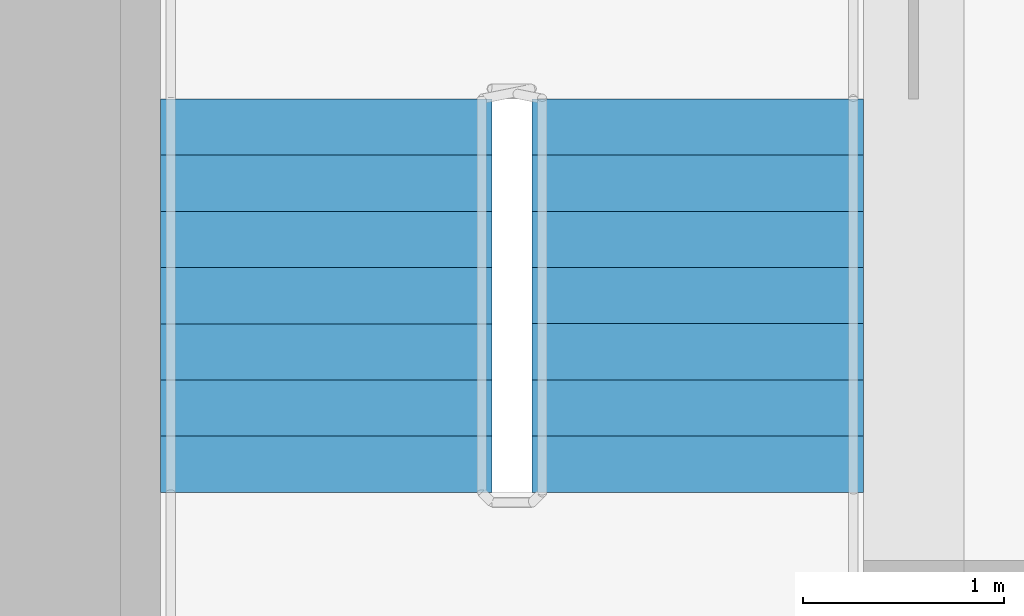
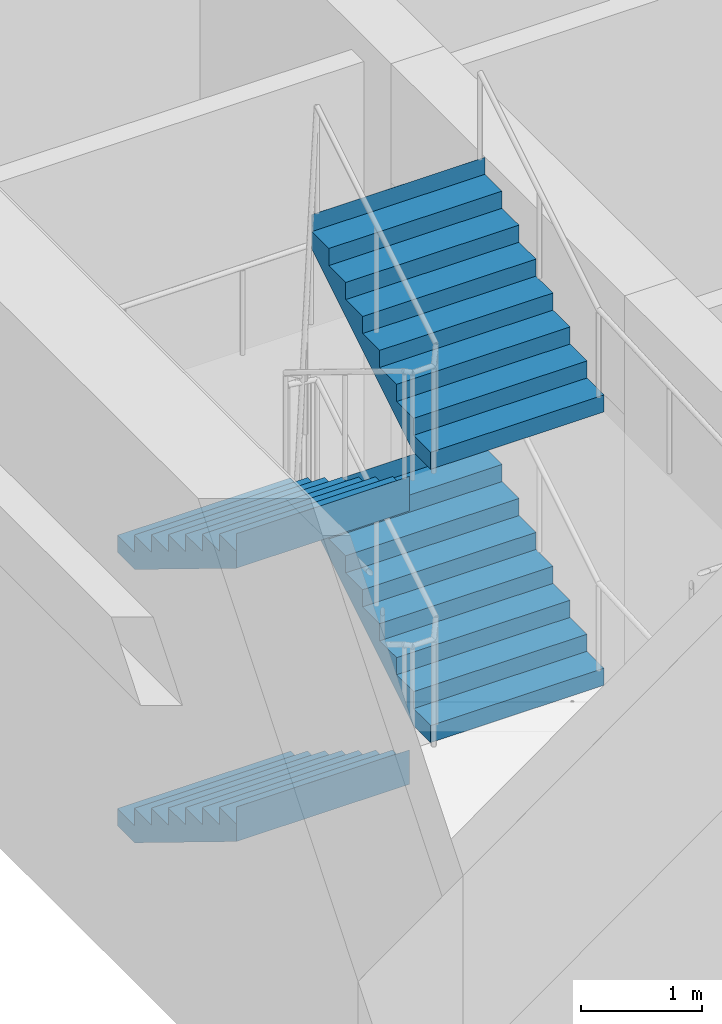
# One storey, part 5 of 9: 4 stair flights, 1 element without a shape of its own.
"""IFC4 building model written with IfcOpenShell, lengths in metres."""

from ifc_helpers import new_model, si_unit, direction, frame, origin, place, context, subcontext, project, spatial, polyline, outline, extrude, material, type_object, element, aggregate, save


model = new_model("IFC4")

# Units and contexts
model_context = context("Model", 3, precision=1e-05, world=origin(), true_north=direction((0.0, 1.0)))
body_context = subcontext(model_context, "Body", "Model", "MODEL_VIEW")
ifc_project = project(units=[si_unit("LENGTHUNIT", "METRE"), si_unit("AREAUNIT", "SQUARE_METRE"), si_unit("VOLUMEUNIT", "CUBIC_METRE"), si_unit("PLANEANGLEUNIT", "RADIAN"), si_unit("MASSUNIT", "GRAM", prefix="KILO")], contexts=[model_context])

# Site, building, storey
site_placement = place(None, origin())
site = spatial("IfcSite", under=ifc_project, at=site_placement, CompositionType="ELEMENT")
building_placement = place(site_placement, origin())
building = spatial("IfcBuilding", under=site, at=building_placement, Name="Tamorin Gate", CompositionType="ELEMENT")
storey_placement = place(building_placement, frame((0.0, 0.0, 214.199951171875)))
storey = spatial("IfcBuildingStorey", under=building, at=storey_placement, Name="L53", CompositionType="ELEMENT", Elevation=214.199951171875)

# Stair, stair flights
ifc_material = material(Name="Concrete C40/50", Category="concrete")
stair_type = type_object("IfcStairType", Name="Exit stair", PredefinedType="HALF_TURN_STAIR", material=ifc_material)
stair_placement = place(storey_placement, origin())
stair = element("IfcStair", 1, at=stair_placement, inside=storey, type_object=stair_type, Name="L53 stair ST1", PredefinedType="HALF_TURN_STAIR")
stair_flight_type = type_object("IfcStairFlightType", Name="Exit stair flight", PredefinedType="STRAIGHT", material=ifc_material)
stair_flight_1_placement = place(storey_placement, frame((31.824951171875, 66.5, 0.0), z_axis=(0.0, 0.0, 1.0), x_axis=(0.0, -1.0, 0.0)))
stair_flight_1 = element("IfcStairFlight", 2, at=stair_flight_1_placement, type_object=stair_flight_type, Name="ST1 flight 1", NumberOfRisers=8, NumberOfTreads=7, PredefinedType="STRAIGHT", RiserHeight=0.171875, TreadLength=0.28, context=body_context, shape_type="SweptSolid", body=[
    extrude(outline(polyline([(-0.00048828125, 0.0), (-0.00048828125, 0.001708984375), (-0.00048828125, 0.00341796875), (-0.00048828125, 0.005126953125), (-0.00048828125, 0.0068359375), (-0.00048828125, 0.008544921875), (-0.00048828125, 0.01025390625), (-0.00048828125, 0.011962890625), (-0.00048828125, 0.013671875), (-0.00048828125, 0.015380859375), (-0.00048828125, 0.01708984375), (-0.00048828125, 0.018798828125), (-0.00048828125, 0.0205078125), (-0.00048828125, 0.022216796875), (-0.00048828125, 0.02392578125), (-0.00048828125, 0.025634765625), (-0.00048828125, 0.02734375), (-0.00048828125, 0.02880859375), (-0.00048828125, 0.030517578125), (-0.00048828125, 0.0322265625), (-0.00048828125, 0.033935546875), (-0.00048828125, 0.03564453125), (-0.00048828125, 0.037353515625), (-0.00048828125, 0.0390625), (-0.00048828125, 0.040771484375), (-0.00048828125, 0.04248046875), (-0.00048828125, 0.044189453125), (-0.00048828125, 0.0458984375), (-0.00048828125, 0.047607421875), (-0.00048828125, 0.04931640625), (-0.00048828125, 0.051025390625), (-0.00048828125, 0.052734375), (-0.00048828125, 0.054443359375), (-0.00048828125, 0.05615234375), (-0.00048828125, 0.057861328125), (-0.00048828125, 0.0595703125), (-0.00048828125, 0.061279296875), (-0.00048828125, 0.06298828125), (-0.00048828125, 0.064697265625), (-0.00048828125, 0.06640625), (-0.00048828125, 0.068115234375), (-0.00048828125, 0.06982421875), (-0.00048828125, 0.071533203125), (-0.00048828125, 0.0732421875), (-0.00048828125, 0.074951171875), (-0.00048828125, 0.07666015625), (-0.00048828125, 0.078369140625), (-0.00048828125, 0.080078125), (-0.00048828125, 0.081787109375), (-0.00048828125, 0.08349609375), (-0.00048828125, 0.085205078125), (-0.00048828125, 0.086669921875), (-0.00048828125, 0.08837890625), (-0.00048828125, 0.090087890625), (-0.00048828125, 0.091796875), (-0.00048828125, 0.093505859375), (-0.00048828125, 0.09521484375), (-0.00048828125, 0.096923828125), (-0.00048828125, 0.0986328125), (-0.00048828125, 0.100341796875), (-0.00048828125, 0.10205078125), (-0.00048828125, 0.103759765625), (-0.00048828125, 0.10546875), (-0.00048828125, 0.107177734375), (-0.00048828125, 0.10888671875), (-0.00048828125, 0.110595703125), (-0.00048828125, 0.1123046875), (-0.00048828125, 0.114013671875), (-0.00048828125, 0.11572265625), (-0.00048828125, 0.117431640625), (-0.00048828125, 0.119140625), (-0.00048828125, 0.120849609375), (-0.00048828125, 0.12255859375), (-0.00048828125, 0.124267578125), (-0.00048828125, 0.1259765625), (-0.00048828125, 0.127685546875), (-0.00048828125, 0.12939453125), (-0.00048828125, 0.131103515625), (-0.00048828125, 0.1328125), (-0.00048828125, 0.134521484375), (-0.00048828125, 0.13623046875), (-0.00048828125, 0.137939453125), (-0.00048828125, 0.1396484375), (-0.00048828125, 0.141357421875), (-0.00048828125, 0.14306640625), (-0.00048828125, 0.14453125), (-0.00048828125, 0.146240234375), (-0.00048828125, 0.14794921875), (-0.00048828125, 0.149658203125), (-0.00048828125, 0.1513671875), (-0.00048828125, 0.153076171875), (-0.00048828125, 0.15478515625), (-0.00048828125, 0.156494140625), (-0.00048828125, 0.158203125), (-0.00048828125, 0.159912109375), (-0.00048828125, 0.16162109375), (-0.00048828125, 0.163330078125), (-0.00048828125, 0.1650390625), (-0.00048828125, 0.166748046875), (-0.00048828125, 0.16845703125), (-0.00048828125, 0.170166015625), (-0.00048828125, 0.171875), (0.280029296875, 0.171875), (0.280029296875, 0.34375), (0.56005859375, 0.34375), (0.56005859375, 0.515625), (0.840087890625, 0.515625), (0.840087890625, 0.6875), (1.1201171875, 0.6875), (1.1201171875, 0.859375), (1.39990234375, 0.859375), (1.39990234375, 1.03125), (1.679931640625, 1.03125), (1.679931640625, 1.203125), (1.9599609375, 1.203125), (1.9599609375, 1.375), (1.96044921875, 1.375), (1.96044921875, 1.37158203125), (1.96044921875, 1.3681640625), (1.96044921875, 1.36474609375), (1.96044921875, 1.361328125), (1.96044921875, 1.357666015625), (1.96044921875, 1.354248046875), (1.96044921875, 1.350830078125), (1.96044921875, 1.347412109375), (1.96044921875, 1.343994140625), (1.96044921875, 1.340576171875), (1.96044921875, 1.337158203125), (1.96044921875, 1.333740234375), (1.96044921875, 1.330322265625), (1.96044921875, 1.326904296875), (1.96044921875, 1.3232421875), (1.96044921875, 1.31982421875), (1.96044921875, 1.31640625), (1.96044921875, 1.31298828125), (1.96044921875, 1.3095703125), (1.96044921875, 1.30615234375), (1.96044921875, 1.302734375), (1.96044921875, 1.29931640625), (1.96044921875, 1.2958984375), (1.96044921875, 1.29248046875), (1.96044921875, 1.288818359375), (1.96044921875, 1.285400390625), (1.96044921875, 1.281982421875), (1.96044921875, 1.278564453125), (1.96044921875, 1.275146484375), (1.96044921875, 1.271728515625), (1.96044921875, 1.268310546875), (1.96044921875, 1.264892578125), (1.96044921875, 1.261474609375), (1.96044921875, 1.2578125), (1.96044921875, 1.25439453125), (1.96044921875, 1.2509765625), (1.96044921875, 1.24755859375), (1.96044921875, 1.244140625), (1.96044921875, 1.24072265625), (1.96044921875, 1.2373046875), (1.96044921875, 1.23388671875), (1.96044921875, 1.23046875), (1.96044921875, 1.22705078125), (1.96044921875, 1.223388671875), (1.96044921875, 1.219970703125), (1.96044921875, 1.216552734375), (1.96044921875, 1.213134765625), (1.96044921875, 1.209716796875), (1.96044921875, 1.206298828125), (1.96044921875, 1.202880859375), (1.96044921875, 1.199462890625), (1.96044921875, 1.196044921875), (1.96044921875, 1.192626953125), (1.96044921875, 1.18896484375), (1.96044921875, 1.185546875), (1.96044921875, 1.18212890625), (1.96044921875, 1.1787109375), (1.96044921875, 1.17529296875), (1.96044921875, 1.171875), (1.96044921875, 1.16845703125), (1.96044921875, 1.1650390625), (1.96044921875, 1.16162109375), (1.96044921875, 1.157958984375), (1.96044921875, 1.154541015625), (1.96044921875, 1.151123046875), (1.96044921875, 1.147705078125), (1.96044921875, 1.144287109375), (1.96044921875, 1.140869140625), (1.96044921875, 1.137451171875), (1.96044921875, 1.134033203125), (1.96044921875, 1.130615234375), (1.96044921875, 1.127197265625), (1.96044921875, 1.12353515625), (1.96044921875, 1.1201171875), (1.96044921875, 1.11669921875), (1.96044921875, 1.11328125), (1.96044921875, 1.10986328125), (1.96044921875, 1.1064453125), (1.96044921875, 1.10302734375), (1.96044921875, 1.099609375), (1.96044921875, 1.09619140625), (1.96044921875, 1.0927734375), (1.96044921875, 1.089111328125), (1.96044921875, 1.085693359375), (1.96044921875, 1.082275390625), (1.96044921875, 1.078857421875), (1.96044921875, 1.075439453125), (1.96044921875, 1.072021484375), (1.96044921875, 1.068603515625), (1.96044921875, 1.065185546875), (1.96044921875, 1.061767578125), (1.96044921875, 1.05810546875), (1.96044921875, 1.0546875), (1.96044921875, 1.05126953125), (1.96044921875, 1.0478515625), (1.96044921875, 1.04443359375), (1.96044921875, 1.041015625), (1.96044921875, 1.03759765625), (1.96044921875, 1.0341796875), (1.96044921875, 1.03076171875), (1.96044921875, 1.02734375), (1.9599609375, 1.02734375), (0.28662109375, 0.0), (-0.00048828125, 0.0)])), frame((0.0, 0.824951171875, 0.0), z_axis=(0.0, -1.0, 0.0), x_axis=(1.0, 0.0, 0.0)), (0.0, 0.0, 1.0), 1.64990234375),
])
stair_flight_2_placement = place(storey_placement, frame((33.675048828125, 64.5400390625, 1.375), z_axis=(0.0, 0.0, 1.0), x_axis=(0.0, 1.0, 0.0)))
stair_flight_2 = element("IfcStairFlight", 3, at=stair_flight_2_placement, type_object=stair_flight_type, Name="ST1 flight 2", NumberOfRisers=8, NumberOfTreads=7, PredefinedType="STRAIGHT", RiserHeight=0.171875, TreadLength=0.28, context=body_context, shape_type="SweptSolid", body=[
    extrude(outline(polyline([(-0.00048828125, 0.0), (-0.00048828125, 0.001708984375), (-0.00048828125, 0.00341796875), (-0.00048828125, 0.005126953125), (-0.00048828125, 0.0068359375), (-0.00048828125, 0.008544921875), (-0.00048828125, 0.01025390625), (-0.00048828125, 0.011962890625), (-0.00048828125, 0.013671875), (-0.00048828125, 0.015380859375), (-0.00048828125, 0.01708984375), (-0.00048828125, 0.018798828125), (-0.00048828125, 0.0205078125), (-0.00048828125, 0.022216796875), (-0.00048828125, 0.02392578125), (-0.00048828125, 0.025634765625), (-0.00048828125, 0.02734375), (-0.00048828125, 0.02880859375), (-0.00048828125, 0.030517578125), (-0.00048828125, 0.0322265625), (-0.00048828125, 0.033935546875), (-0.00048828125, 0.03564453125), (-0.00048828125, 0.037353515625), (-0.00048828125, 0.0390625), (-0.00048828125, 0.040771484375), (-0.00048828125, 0.04248046875), (-0.00048828125, 0.044189453125), (-0.00048828125, 0.0458984375), (-0.00048828125, 0.047607421875), (-0.00048828125, 0.04931640625), (-0.00048828125, 0.051025390625), (-0.00048828125, 0.052734375), (-0.00048828125, 0.054443359375), (-0.00048828125, 0.05615234375), (-0.00048828125, 0.057861328125), (-0.00048828125, 0.0595703125), (-0.00048828125, 0.061279296875), (-0.00048828125, 0.06298828125), (-0.00048828125, 0.064697265625), (-0.00048828125, 0.06640625), (-0.00048828125, 0.068115234375), (-0.00048828125, 0.06982421875), (-0.00048828125, 0.071533203125), (-0.00048828125, 0.0732421875), (-0.00048828125, 0.074951171875), (-0.00048828125, 0.07666015625), (-0.00048828125, 0.078369140625), (-0.00048828125, 0.080078125), (-0.00048828125, 0.081787109375), (-0.00048828125, 0.08349609375), (-0.00048828125, 0.085205078125), (-0.00048828125, 0.086669921875), (-0.00048828125, 0.08837890625), (-0.00048828125, 0.090087890625), (-0.00048828125, 0.091796875), (-0.00048828125, 0.093505859375), (-0.00048828125, 0.09521484375), (-0.00048828125, 0.096923828125), (-0.00048828125, 0.0986328125), (-0.00048828125, 0.100341796875), (-0.00048828125, 0.10205078125), (-0.00048828125, 0.103759765625), (-0.00048828125, 0.10546875), (-0.00048828125, 0.107177734375), (-0.00048828125, 0.10888671875), (-0.00048828125, 0.110595703125), (-0.00048828125, 0.1123046875), (-0.00048828125, 0.114013671875), (-0.00048828125, 0.11572265625), (-0.00048828125, 0.117431640625), (-0.00048828125, 0.119140625), (-0.00048828125, 0.120849609375), (-0.00048828125, 0.12255859375), (-0.00048828125, 0.124267578125), (-0.00048828125, 0.1259765625), (-0.00048828125, 0.127685546875), (-0.00048828125, 0.12939453125), (-0.00048828125, 0.131103515625), (-0.00048828125, 0.1328125), (-0.00048828125, 0.134521484375), (-0.00048828125, 0.13623046875), (-0.00048828125, 0.137939453125), (-0.00048828125, 0.1396484375), (-0.00048828125, 0.141357421875), (-0.00048828125, 0.14306640625), (-0.00048828125, 0.14453125), (-0.00048828125, 0.146240234375), (-0.00048828125, 0.14794921875), (-0.00048828125, 0.149658203125), (-0.00048828125, 0.1513671875), (-0.00048828125, 0.153076171875), (-0.00048828125, 0.15478515625), (-0.00048828125, 0.156494140625), (-0.00048828125, 0.158203125), (-0.00048828125, 0.159912109375), (-0.00048828125, 0.16162109375), (-0.00048828125, 0.163330078125), (-0.00048828125, 0.1650390625), (-0.00048828125, 0.166748046875), (-0.00048828125, 0.16845703125), (-0.00048828125, 0.170166015625), (-0.00048828125, 0.171875), (0.280029296875, 0.171875), (0.280029296875, 0.34375), (0.56005859375, 0.34375), (0.56005859375, 0.515625), (0.840087890625, 0.515625), (0.840087890625, 0.6875), (1.1201171875, 0.6875), (1.1201171875, 0.859375), (1.39990234375, 0.859375), (1.39990234375, 1.03125), (1.679931640625, 1.03125), (1.679931640625, 1.203125), (1.9599609375, 1.203125), (1.9599609375, 1.375), (1.96044921875, 1.375), (1.96044921875, 1.37158203125), (1.96044921875, 1.3681640625), (1.96044921875, 1.36474609375), (1.96044921875, 1.361328125), (1.96044921875, 1.357666015625), (1.96044921875, 1.354248046875), (1.96044921875, 1.350830078125), (1.96044921875, 1.347412109375), (1.96044921875, 1.343994140625), (1.96044921875, 1.340576171875), (1.96044921875, 1.337158203125), (1.96044921875, 1.333740234375), (1.96044921875, 1.330322265625), (1.96044921875, 1.326904296875), (1.96044921875, 1.3232421875), (1.96044921875, 1.31982421875), (1.96044921875, 1.31640625), (1.96044921875, 1.31298828125), (1.96044921875, 1.3095703125), (1.96044921875, 1.30615234375), (1.96044921875, 1.302734375), (1.96044921875, 1.29931640625), (1.96044921875, 1.2958984375), (1.96044921875, 1.29248046875), (1.96044921875, 1.288818359375), (1.96044921875, 1.285400390625), (1.96044921875, 1.281982421875), (1.96044921875, 1.278564453125), (1.96044921875, 1.275146484375), (1.96044921875, 1.271728515625), (1.96044921875, 1.268310546875), (1.96044921875, 1.264892578125), (1.96044921875, 1.261474609375), (1.96044921875, 1.2578125), (1.96044921875, 1.25439453125), (1.96044921875, 1.2509765625), (1.96044921875, 1.24755859375), (1.96044921875, 1.244140625), (1.96044921875, 1.24072265625), (1.96044921875, 1.2373046875), (1.96044921875, 1.23388671875), (1.96044921875, 1.23046875), (1.96044921875, 1.22705078125), (1.96044921875, 1.223388671875), (1.96044921875, 1.219970703125), (1.96044921875, 1.216552734375), (1.96044921875, 1.213134765625), (1.96044921875, 1.209716796875), (1.96044921875, 1.206298828125), (1.96044921875, 1.202880859375), (1.96044921875, 1.199462890625), (1.96044921875, 1.196044921875), (1.96044921875, 1.192626953125), (1.96044921875, 1.18896484375), (1.96044921875, 1.185546875), (1.96044921875, 1.18212890625), (1.96044921875, 1.1787109375), (1.96044921875, 1.17529296875), (1.96044921875, 1.171875), (1.96044921875, 1.16845703125), (1.96044921875, 1.1650390625), (1.96044921875, 1.16162109375), (1.96044921875, 1.157958984375), (1.96044921875, 1.154541015625), (1.96044921875, 1.151123046875), (1.96044921875, 1.147705078125), (1.96044921875, 1.144287109375), (1.96044921875, 1.140869140625), (1.96044921875, 1.137451171875), (1.96044921875, 1.134033203125), (1.96044921875, 1.130615234375), (1.96044921875, 1.127197265625), (1.96044921875, 1.12353515625), (1.96044921875, 1.1201171875), (1.96044921875, 1.11669921875), (1.96044921875, 1.11328125), (1.96044921875, 1.10986328125), (1.96044921875, 1.1064453125), (1.96044921875, 1.10302734375), (1.96044921875, 1.099609375), (1.96044921875, 1.09619140625), (1.96044921875, 1.0927734375), (1.96044921875, 1.089111328125), (1.96044921875, 1.085693359375), (1.96044921875, 1.082275390625), (1.96044921875, 1.078857421875), (1.96044921875, 1.075439453125), (1.96044921875, 1.072021484375), (1.96044921875, 1.068603515625), (1.96044921875, 1.065185546875), (1.96044921875, 1.061767578125), (1.96044921875, 1.05810546875), (1.96044921875, 1.0546875), (1.96044921875, 1.05126953125), (1.96044921875, 1.0478515625), (1.96044921875, 1.04443359375), (1.96044921875, 1.041015625), (1.96044921875, 1.03759765625), (1.96044921875, 1.0341796875), (1.96044921875, 1.03076171875), (1.96044921875, 1.02734375), (1.9599609375, 1.02734375), (0.28662109375, 0.0), (-0.00048828125, 0.0)])), frame((0.0, 0.824951171875, 0.0), z_axis=(0.0, -1.0, 0.0), x_axis=(1.0, 0.0, 0.0)), (0.0, 0.0, 1.0), 1.64990234375),
])
stair_flight_3_placement = place(storey_placement, frame((31.824951171875, 66.5, 2.75), z_axis=(0.0, 0.0, 1.0), x_axis=(0.0, -1.0, 0.0)))
stair_flight_3 = element("IfcStairFlight", 4, at=stair_flight_3_placement, type_object=stair_flight_type, Name="ST1 flight 3", NumberOfRisers=8, NumberOfTreads=7, PredefinedType="STRAIGHT", RiserHeight=0.171875, TreadLength=0.28, context=body_context, shape_type="SweptSolid", body=[
    extrude(outline(polyline([(-0.00048828125, 0.0), (-0.00048828125, 0.001708984375), (-0.00048828125, 0.00341796875), (-0.00048828125, 0.005126953125), (-0.00048828125, 0.0068359375), (-0.00048828125, 0.008544921875), (-0.00048828125, 0.01025390625), (-0.00048828125, 0.011962890625), (-0.00048828125, 0.013671875), (-0.00048828125, 0.015380859375), (-0.00048828125, 0.01708984375), (-0.00048828125, 0.018798828125), (-0.00048828125, 0.0205078125), (-0.00048828125, 0.022216796875), (-0.00048828125, 0.02392578125), (-0.00048828125, 0.025634765625), (-0.00048828125, 0.02734375), (-0.00048828125, 0.02880859375), (-0.00048828125, 0.030517578125), (-0.00048828125, 0.0322265625), (-0.00048828125, 0.033935546875), (-0.00048828125, 0.03564453125), (-0.00048828125, 0.037353515625), (-0.00048828125, 0.0390625), (-0.00048828125, 0.040771484375), (-0.00048828125, 0.04248046875), (-0.00048828125, 0.044189453125), (-0.00048828125, 0.0458984375), (-0.00048828125, 0.047607421875), (-0.00048828125, 0.04931640625), (-0.00048828125, 0.051025390625), (-0.00048828125, 0.052734375), (-0.00048828125, 0.054443359375), (-0.00048828125, 0.05615234375), (-0.00048828125, 0.057861328125), (-0.00048828125, 0.0595703125), (-0.00048828125, 0.061279296875), (-0.00048828125, 0.06298828125), (-0.00048828125, 0.064697265625), (-0.00048828125, 0.06640625), (-0.00048828125, 0.068115234375), (-0.00048828125, 0.06982421875), (-0.00048828125, 0.071533203125), (-0.00048828125, 0.0732421875), (-0.00048828125, 0.074951171875), (-0.00048828125, 0.07666015625), (-0.00048828125, 0.078369140625), (-0.00048828125, 0.080078125), (-0.00048828125, 0.081787109375), (-0.00048828125, 0.08349609375), (-0.00048828125, 0.085205078125), (-0.00048828125, 0.086669921875), (-0.00048828125, 0.08837890625), (-0.00048828125, 0.090087890625), (-0.00048828125, 0.091796875), (-0.00048828125, 0.093505859375), (-0.00048828125, 0.09521484375), (-0.00048828125, 0.096923828125), (-0.00048828125, 0.0986328125), (-0.00048828125, 0.100341796875), (-0.00048828125, 0.10205078125), (-0.00048828125, 0.103759765625), (-0.00048828125, 0.10546875), (-0.00048828125, 0.107177734375), (-0.00048828125, 0.10888671875), (-0.00048828125, 0.110595703125), (-0.00048828125, 0.1123046875), (-0.00048828125, 0.114013671875), (-0.00048828125, 0.11572265625), (-0.00048828125, 0.117431640625), (-0.00048828125, 0.119140625), (-0.00048828125, 0.120849609375), (-0.00048828125, 0.12255859375), (-0.00048828125, 0.124267578125), (-0.00048828125, 0.1259765625), (-0.00048828125, 0.127685546875), (-0.00048828125, 0.12939453125), (-0.00048828125, 0.131103515625), (-0.00048828125, 0.1328125), (-0.00048828125, 0.134521484375), (-0.00048828125, 0.13623046875), (-0.00048828125, 0.137939453125), (-0.00048828125, 0.1396484375), (-0.00048828125, 0.141357421875), (-0.00048828125, 0.14306640625), (-0.00048828125, 0.14453125), (-0.00048828125, 0.146240234375), (-0.00048828125, 0.14794921875), (-0.00048828125, 0.149658203125), (-0.00048828125, 0.1513671875), (-0.00048828125, 0.153076171875), (-0.00048828125, 0.15478515625), (-0.00048828125, 0.156494140625), (-0.00048828125, 0.158203125), (-0.00048828125, 0.159912109375), (-0.00048828125, 0.16162109375), (-0.00048828125, 0.163330078125), (-0.00048828125, 0.1650390625), (-0.00048828125, 0.166748046875), (-0.00048828125, 0.16845703125), (-0.00048828125, 0.170166015625), (-0.00048828125, 0.171875), (0.280029296875, 0.171875), (0.280029296875, 0.34375), (0.56005859375, 0.34375), (0.56005859375, 0.515625), (0.840087890625, 0.515625), (0.840087890625, 0.6875), (1.1201171875, 0.6875), (1.1201171875, 0.859375), (1.39990234375, 0.859375), (1.39990234375, 1.03125), (1.679931640625, 1.03125), (1.679931640625, 1.203125), (1.9599609375, 1.203125), (1.9599609375, 1.375), (1.96044921875, 1.375), (1.96044921875, 1.37158203125), (1.96044921875, 1.3681640625), (1.96044921875, 1.36474609375), (1.96044921875, 1.361328125), (1.96044921875, 1.357666015625), (1.96044921875, 1.354248046875), (1.96044921875, 1.350830078125), (1.96044921875, 1.347412109375), (1.96044921875, 1.343994140625), (1.96044921875, 1.340576171875), (1.96044921875, 1.337158203125), (1.96044921875, 1.333740234375), (1.96044921875, 1.330322265625), (1.96044921875, 1.326904296875), (1.96044921875, 1.3232421875), (1.96044921875, 1.31982421875), (1.96044921875, 1.31640625), (1.96044921875, 1.31298828125), (1.96044921875, 1.3095703125), (1.96044921875, 1.30615234375), (1.96044921875, 1.302734375), (1.96044921875, 1.29931640625), (1.96044921875, 1.2958984375), (1.96044921875, 1.29248046875), (1.96044921875, 1.288818359375), (1.96044921875, 1.285400390625), (1.96044921875, 1.281982421875), (1.96044921875, 1.278564453125), (1.96044921875, 1.275146484375), (1.96044921875, 1.271728515625), (1.96044921875, 1.268310546875), (1.96044921875, 1.264892578125), (1.96044921875, 1.261474609375), (1.96044921875, 1.2578125), (1.96044921875, 1.25439453125), (1.96044921875, 1.2509765625), (1.96044921875, 1.24755859375), (1.96044921875, 1.244140625), (1.96044921875, 1.24072265625), (1.96044921875, 1.2373046875), (1.96044921875, 1.23388671875), (1.96044921875, 1.23046875), (1.96044921875, 1.22705078125), (1.96044921875, 1.223388671875), (1.96044921875, 1.219970703125), (1.96044921875, 1.216552734375), (1.96044921875, 1.213134765625), (1.96044921875, 1.209716796875), (1.96044921875, 1.206298828125), (1.96044921875, 1.202880859375), (1.96044921875, 1.199462890625), (1.96044921875, 1.196044921875), (1.96044921875, 1.192626953125), (1.96044921875, 1.18896484375), (1.96044921875, 1.185546875), (1.96044921875, 1.18212890625), (1.96044921875, 1.1787109375), (1.96044921875, 1.17529296875), (1.96044921875, 1.171875), (1.96044921875, 1.16845703125), (1.96044921875, 1.1650390625), (1.96044921875, 1.16162109375), (1.96044921875, 1.157958984375), (1.96044921875, 1.154541015625), (1.96044921875, 1.151123046875), (1.96044921875, 1.147705078125), (1.96044921875, 1.144287109375), (1.96044921875, 1.140869140625), (1.96044921875, 1.137451171875), (1.96044921875, 1.134033203125), (1.96044921875, 1.130615234375), (1.96044921875, 1.127197265625), (1.96044921875, 1.12353515625), (1.96044921875, 1.1201171875), (1.96044921875, 1.11669921875), (1.96044921875, 1.11328125), (1.96044921875, 1.10986328125), (1.96044921875, 1.1064453125), (1.96044921875, 1.10302734375), (1.96044921875, 1.099609375), (1.96044921875, 1.09619140625), (1.96044921875, 1.0927734375), (1.96044921875, 1.089111328125), (1.96044921875, 1.085693359375), (1.96044921875, 1.082275390625), (1.96044921875, 1.078857421875), (1.96044921875, 1.075439453125), (1.96044921875, 1.072021484375), (1.96044921875, 1.068603515625), (1.96044921875, 1.065185546875), (1.96044921875, 1.061767578125), (1.96044921875, 1.05810546875), (1.96044921875, 1.0546875), (1.96044921875, 1.05126953125), (1.96044921875, 1.0478515625), (1.96044921875, 1.04443359375), (1.96044921875, 1.041015625), (1.96044921875, 1.03759765625), (1.96044921875, 1.0341796875), (1.96044921875, 1.03076171875), (1.96044921875, 1.02734375), (1.9599609375, 1.02734375), (0.28662109375, 0.0), (-0.00048828125, 0.0)])), frame((0.0, 0.824951171875, 0.0), z_axis=(0.0, -1.0, 0.0), x_axis=(1.0, 0.0, 0.0)), (0.0, 0.0, 1.0), 1.64990234375),
])
stair_flight_4_placement = place(storey_placement, frame((33.675048828125, 64.5400390625, 4.125), z_axis=(0.0, 0.0, 1.0), x_axis=(0.0, 1.0, 0.0)))
stair_flight_4 = element("IfcStairFlight", 5, at=stair_flight_4_placement, type_object=stair_flight_type, Name="ST1 flight 4", NumberOfRisers=8, NumberOfTreads=7, PredefinedType="STRAIGHT", RiserHeight=0.171875, TreadLength=0.28, context=body_context, shape_type="SweptSolid", body=[
    extrude(outline(polyline([(-0.00048828125, 0.0), (-0.00048828125, 0.001708984375), (-0.00048828125, 0.00341796875), (-0.00048828125, 0.005126953125), (-0.00048828125, 0.0068359375), (-0.00048828125, 0.008544921875), (-0.00048828125, 0.01025390625), (-0.00048828125, 0.011962890625), (-0.00048828125, 0.013671875), (-0.00048828125, 0.015380859375), (-0.00048828125, 0.01708984375), (-0.00048828125, 0.018798828125), (-0.00048828125, 0.0205078125), (-0.00048828125, 0.022216796875), (-0.00048828125, 0.02392578125), (-0.00048828125, 0.025634765625), (-0.00048828125, 0.02734375), (-0.00048828125, 0.02880859375), (-0.00048828125, 0.030517578125), (-0.00048828125, 0.0322265625), (-0.00048828125, 0.033935546875), (-0.00048828125, 0.03564453125), (-0.00048828125, 0.037353515625), (-0.00048828125, 0.0390625), (-0.00048828125, 0.040771484375), (-0.00048828125, 0.04248046875), (-0.00048828125, 0.044189453125), (-0.00048828125, 0.0458984375), (-0.00048828125, 0.047607421875), (-0.00048828125, 0.04931640625), (-0.00048828125, 0.051025390625), (-0.00048828125, 0.052734375), (-0.00048828125, 0.054443359375), (-0.00048828125, 0.05615234375), (-0.00048828125, 0.057861328125), (-0.00048828125, 0.0595703125), (-0.00048828125, 0.061279296875), (-0.00048828125, 0.06298828125), (-0.00048828125, 0.064697265625), (-0.00048828125, 0.06640625), (-0.00048828125, 0.068115234375), (-0.00048828125, 0.06982421875), (-0.00048828125, 0.071533203125), (-0.00048828125, 0.0732421875), (-0.00048828125, 0.074951171875), (-0.00048828125, 0.07666015625), (-0.00048828125, 0.078369140625), (-0.00048828125, 0.080078125), (-0.00048828125, 0.081787109375), (-0.00048828125, 0.08349609375), (-0.00048828125, 0.085205078125), (-0.00048828125, 0.086669921875), (-0.00048828125, 0.08837890625), (-0.00048828125, 0.090087890625), (-0.00048828125, 0.091796875), (-0.00048828125, 0.093505859375), (-0.00048828125, 0.09521484375), (-0.00048828125, 0.096923828125), (-0.00048828125, 0.0986328125), (-0.00048828125, 0.100341796875), (-0.00048828125, 0.10205078125), (-0.00048828125, 0.103759765625), (-0.00048828125, 0.10546875), (-0.00048828125, 0.107177734375), (-0.00048828125, 0.10888671875), (-0.00048828125, 0.110595703125), (-0.00048828125, 0.1123046875), (-0.00048828125, 0.114013671875), (-0.00048828125, 0.11572265625), (-0.00048828125, 0.117431640625), (-0.00048828125, 0.119140625), (-0.00048828125, 0.120849609375), (-0.00048828125, 0.12255859375), (-0.00048828125, 0.124267578125), (-0.00048828125, 0.1259765625), (-0.00048828125, 0.127685546875), (-0.00048828125, 0.12939453125), (-0.00048828125, 0.131103515625), (-0.00048828125, 0.1328125), (-0.00048828125, 0.134521484375), (-0.00048828125, 0.13623046875), (-0.00048828125, 0.137939453125), (-0.00048828125, 0.1396484375), (-0.00048828125, 0.141357421875), (-0.00048828125, 0.14306640625), (-0.00048828125, 0.14453125), (-0.00048828125, 0.146240234375), (-0.00048828125, 0.14794921875), (-0.00048828125, 0.149658203125), (-0.00048828125, 0.1513671875), (-0.00048828125, 0.153076171875), (-0.00048828125, 0.15478515625), (-0.00048828125, 0.156494140625), (-0.00048828125, 0.158203125), (-0.00048828125, 0.159912109375), (-0.00048828125, 0.16162109375), (-0.00048828125, 0.163330078125), (-0.00048828125, 0.1650390625), (-0.00048828125, 0.166748046875), (-0.00048828125, 0.16845703125), (-0.00048828125, 0.170166015625), (-0.00048828125, 0.171875), (0.280029296875, 0.171875), (0.280029296875, 0.34375), (0.56005859375, 0.34375), (0.56005859375, 0.515625), (0.840087890625, 0.515625), (0.840087890625, 0.6875), (1.1201171875, 0.6875), (1.1201171875, 0.859375), (1.39990234375, 0.859375), (1.39990234375, 1.03125), (1.679931640625, 1.03125), (1.679931640625, 1.203125), (1.9599609375, 1.203125), (1.9599609375, 1.375), (1.96044921875, 1.375), (1.96044921875, 1.37158203125), (1.96044921875, 1.3681640625), (1.96044921875, 1.36474609375), (1.96044921875, 1.361328125), (1.96044921875, 1.357666015625), (1.96044921875, 1.354248046875), (1.96044921875, 1.350830078125), (1.96044921875, 1.347412109375), (1.96044921875, 1.343994140625), (1.96044921875, 1.340576171875), (1.96044921875, 1.337158203125), (1.96044921875, 1.333740234375), (1.96044921875, 1.330322265625), (1.96044921875, 1.326904296875), (1.96044921875, 1.3232421875), (1.96044921875, 1.31982421875), (1.96044921875, 1.31640625), (1.96044921875, 1.31298828125), (1.96044921875, 1.3095703125), (1.96044921875, 1.30615234375), (1.96044921875, 1.302734375), (1.96044921875, 1.29931640625), (1.96044921875, 1.2958984375), (1.96044921875, 1.29248046875), (1.96044921875, 1.288818359375), (1.96044921875, 1.285400390625), (1.96044921875, 1.281982421875), (1.96044921875, 1.278564453125), (1.96044921875, 1.275146484375), (1.96044921875, 1.271728515625), (1.96044921875, 1.268310546875), (1.96044921875, 1.264892578125), (1.96044921875, 1.261474609375), (1.96044921875, 1.2578125), (1.96044921875, 1.25439453125), (1.96044921875, 1.2509765625), (1.96044921875, 1.24755859375), (1.96044921875, 1.244140625), (1.96044921875, 1.24072265625), (1.96044921875, 1.2373046875), (1.96044921875, 1.23388671875), (1.96044921875, 1.23046875), (1.96044921875, 1.22705078125), (1.96044921875, 1.223388671875), (1.96044921875, 1.219970703125), (1.96044921875, 1.216552734375), (1.96044921875, 1.213134765625), (1.96044921875, 1.209716796875), (1.96044921875, 1.206298828125), (1.96044921875, 1.202880859375), (1.96044921875, 1.199462890625), (1.96044921875, 1.196044921875), (1.96044921875, 1.192626953125), (1.96044921875, 1.18896484375), (1.96044921875, 1.185546875), (1.96044921875, 1.18212890625), (1.96044921875, 1.1787109375), (1.96044921875, 1.17529296875), (1.96044921875, 1.171875), (1.96044921875, 1.16845703125), (1.96044921875, 1.1650390625), (1.96044921875, 1.16162109375), (1.96044921875, 1.157958984375), (1.96044921875, 1.154541015625), (1.96044921875, 1.151123046875), (1.96044921875, 1.147705078125), (1.96044921875, 1.144287109375), (1.96044921875, 1.140869140625), (1.96044921875, 1.137451171875), (1.96044921875, 1.134033203125), (1.96044921875, 1.130615234375), (1.96044921875, 1.127197265625), (1.96044921875, 1.12353515625), (1.96044921875, 1.1201171875), (1.96044921875, 1.11669921875), (1.96044921875, 1.11328125), (1.96044921875, 1.10986328125), (1.96044921875, 1.1064453125), (1.96044921875, 1.10302734375), (1.96044921875, 1.099609375), (1.96044921875, 1.09619140625), (1.96044921875, 1.0927734375), (1.96044921875, 1.089111328125), (1.96044921875, 1.085693359375), (1.96044921875, 1.082275390625), (1.96044921875, 1.078857421875), (1.96044921875, 1.075439453125), (1.96044921875, 1.072021484375), (1.96044921875, 1.068603515625), (1.96044921875, 1.065185546875), (1.96044921875, 1.061767578125), (1.96044921875, 1.05810546875), (1.96044921875, 1.0546875), (1.96044921875, 1.05126953125), (1.96044921875, 1.0478515625), (1.96044921875, 1.04443359375), (1.96044921875, 1.041015625), (1.96044921875, 1.03759765625), (1.96044921875, 1.0341796875), (1.96044921875, 1.03076171875), (1.96044921875, 1.02734375), (1.9599609375, 1.02734375), (0.28662109375, 0.0), (-0.00048828125, 0.0)])), frame((0.0, 0.824951171875, 0.0), z_axis=(0.0, -1.0, 0.0), x_axis=(1.0, 0.0, 0.0)), (0.0, 0.0, 1.0), 1.64990234375),
])
aggregate(stair, [stair_flight_1, stair_flight_2, stair_flight_3, stair_flight_4])

save(model, "model.ifc")
